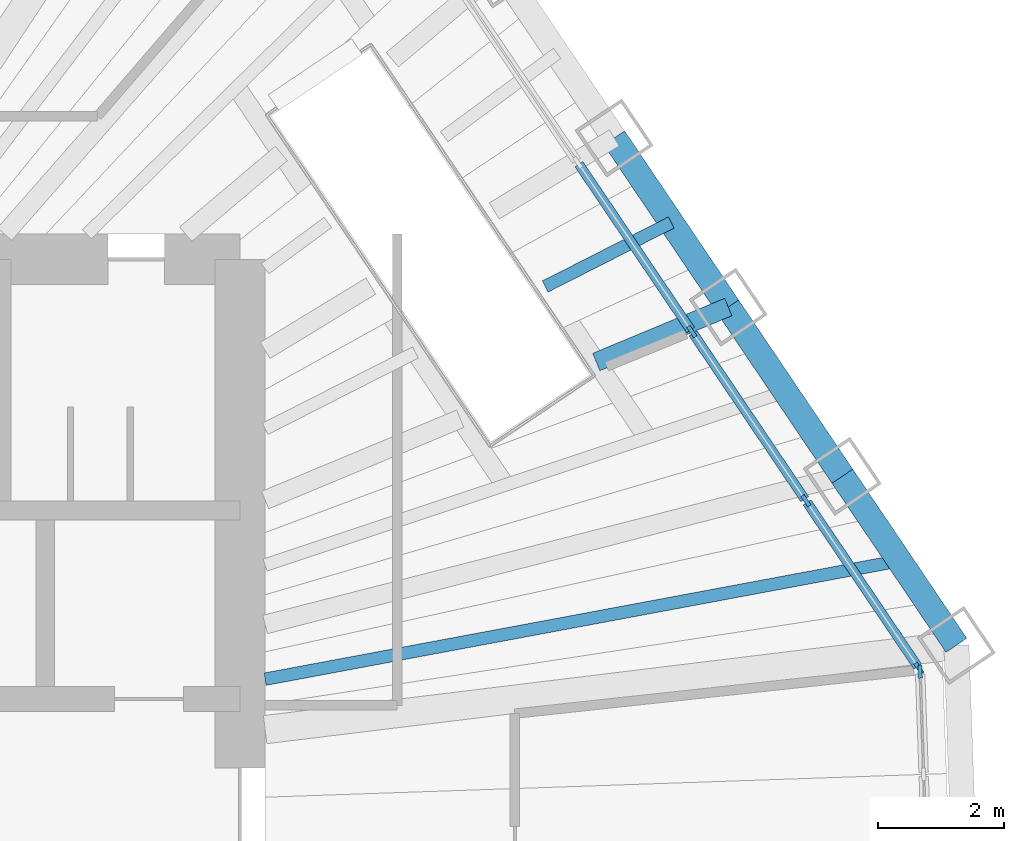
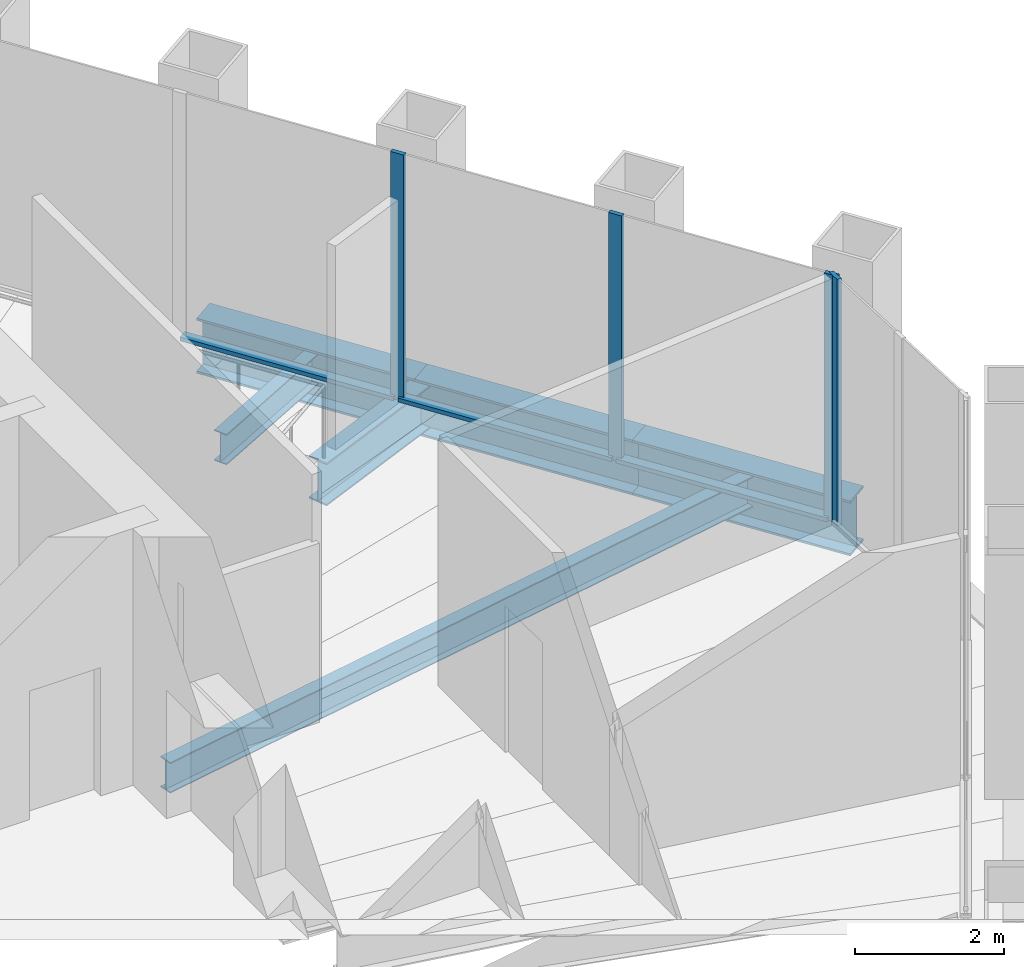
# One storey, part 8 of 17: 7 members, 6 beams, 2 elements without a shape of their own.
"""IFC4 building model written with IfcOpenShell, lengths in metres."""

from ifc_helpers import new_model, si_unit, direction, frame, origin, origin_2d, place, context, subcontext, project, spatial, rectangle, i_section, extrude, material, material_profile, profile_set, type_object, element, aggregate, save


model = new_model("IFC4")

# Units and contexts
model_context = context("Model", 3, precision=1e-05, world=origin(), true_north=direction((0.0, 1.0)))
body_context = subcontext(model_context, "Body", "Model", "MODEL_VIEW")
ifc_project = project(units=[si_unit("LENGTHUNIT", "METRE"), si_unit("AREAUNIT", "SQUARE_METRE"), si_unit("VOLUMEUNIT", "CUBIC_METRE"), si_unit("PLANEANGLEUNIT", "RADIAN"), si_unit("MASSUNIT", "GRAM", prefix="KILO")], contexts=[model_context])

# Site, building, storey
site_placement = place(None, origin())
site = spatial("IfcSite", under=ifc_project, at=site_placement, CompositionType="ELEMENT")
building_placement = place(site_placement, origin())
building = spatial("IfcBuilding", under=site, at=building_placement, Name="Qingtian Harvest Tower", CompositionType="ELEMENT")
storey_placement = place(building_placement, frame((0.0, 0.0, 329.199951171875)))
storey = spatial("IfcBuildingStorey", under=building, at=storey_placement, Name="L73", CompositionType="ELEMENT", Elevation=329.199951171875)

# Beams
ifc_material_1 = material(Name="Steel SN490B", Category="steel")
ifc_material_profile_1 = material_profile(ifc_material_1, i_section(OverallWidth=0.300048828125, OverallDepth=0.699951171875, WebThickness=0.012939453125, FlangeThickness=0.02392578125, at=origin_2d()), Name="H700x300x13x24")
ifc_profile_set_1 = profile_set([ifc_material_profile_1], Name="Steel SN490B")
beam_type_1 = type_object("IfcBeamType", Name="Floor beam FB4 H700x300x13x24", PredefinedType="BEAM", material=ifc_profile_set_1)
beam_1_placement = place(storey_placement, frame((19.77294921875, 8.2392578125, -0.52001953125), z_axis=(-0.923080095314, -0.384607771157, 0.0), x_axis=(0.384607771157, -0.923080095314, 0.0)))
element("IfcBeam", 1, at=beam_1_placement, inside=storey, type_object=beam_type_1, Name="Floor beam FB4 NE4", PredefinedType="BEAM", context=body_context, shape_type="SweptSolid", body=[
    extrude(i_section(OverallWidth=0.300048828125, OverallDepth=0.699951171875, WebThickness=0.012939453125, FlangeThickness=0.02392578125, at=origin_2d()), origin(), (0.0, 0.0, 1.0), 2.27685546875),
])
ifc_material_2 = material(Name="Steel SN490B", Category="steel")
ifc_material_profile_2 = material_profile(ifc_material_2, i_section(OverallWidth=0.199951171875, OverallDepth=0.5, WebThickness=0.010009765625, FlangeThickness=0.01611328125, at=origin_2d()), Name="H500x200x10x16")
ifc_profile_set_2 = profile_set([ifc_material_profile_2], Name="Steel SN490B")
beam_type_2 = type_object("IfcBeamType", Name="Floor joist J3 H500x200x10x16", PredefinedType="JOIST", material=ifc_profile_set_2)
beam_2_placement = place(storey_placement, frame((18.864990234375, 9.585693359375, -0.419921875), z_axis=(-0.891499556888, -0.453021566892, 0.0), x_axis=(0.453021566892, -0.891499556888, 0.0)))
element("IfcBeam", 2, at=beam_2_placement, inside=storey, type_object=beam_type_2, Name="Floor joist J3 NE3", PredefinedType="JOIST", context=body_context, shape_type="SweptSolid", body=[
    extrude(i_section(OverallWidth=0.199951171875, OverallDepth=0.5, WebThickness=0.010009765625, FlangeThickness=0.01611328125, at=origin_2d()), origin(), (0.0, 0.0, 1.0), 2.24951171875),
])
beam_3_placement = place(storey_placement, frame((22.49755859375, 4.2001953125, -0.419921875), z_axis=(-0.983018248018, -0.183507831067, 0.0), x_axis=(0.183507831067, -0.983018248018, 0.0)))
element("IfcBeam", 3, at=beam_3_placement, inside=storey, type_object=beam_type_2, Name="Floor joist J3 NE5", PredefinedType="JOIST", context=body_context, shape_type="SweptSolid", body=[
    extrude(i_section(OverallWidth=0.199951171875, OverallDepth=0.5, WebThickness=0.010009765625, FlangeThickness=0.01611328125, at=origin_2d()), origin(), (0.0, 0.0, 1.0), 10.27197265625),
])

# Curtain wall, members
ifc_material_3 = material(Name="Bronze-anodised aluminium curtain wall", Category="aluminium")
curtain_wall_type = type_object("IfcCurtainWallType", Name="Curtain wall CW6 executive floors", PredefinedType="USERDEFINED", material=ifc_material_3)
curtain_wall_1_placement = place(storey_placement, origin())
curtain_wall_1 = element("IfcCurtainWall", 4, at=curtain_wall_1_placement, inside=storey, type_object=curtain_wall_type, Name="Curtain wall CW6 L73 NE0-5", ObjectType="RECESSED CURTAIN WALL", PredefinedType="USERDEFINED")
ifc_material_4 = material(Name="Bronze-anodised aluminium mullion", Category="aluminium")
ifc_material_profile_3 = material_profile(ifc_material_4, rectangle(XDim=0.06494140625, YDim=0.199951171875, at=origin_2d()), Name="AL 65x200")
ifc_profile_set_3 = profile_set([ifc_material_profile_3], Name="Bronze-anodised aluminium mullion")
member_type_1 = type_object("IfcMemberType", Name="Mullion CWM 65x200", PredefinedType="MULLION", material=ifc_profile_set_3)
member_1_placement = place(storey_placement, frame((19.192626953125, 7.847900390625, 0.0), z_axis=(0.0, 0.0, 1.0), x_axis=(0.829037572555, 0.559192903471, 0.0)))
member_1 = element("IfcMember", 5, at=member_1_placement, type_object=member_type_1, Name="CW6 mullion 5", PredefinedType="MULLION", context=body_context, shape_type="SweptSolid", body=[
    extrude(rectangle(XDim=0.06494140625, YDim=0.199951171875, at=origin_2d()), origin(), (0.0, 0.0, 1.0), 4.030029296875),
])
member_2_placement = place(storey_placement, frame((21.009033203125, 5.1552734375, 0.0), z_axis=(0.0, 0.0, 1.0), x_axis=(0.829037572555, 0.559192903471, 0.0)))
member_2 = element("IfcMember", 6, at=member_2_placement, type_object=member_type_1, Name="CW6 mullion 6", PredefinedType="MULLION", context=body_context, shape_type="SweptSolid", body=[
    extrude(rectangle(XDim=0.06494140625, YDim=0.199951171875, at=origin_2d()), origin(), (0.0, 0.0, 1.0), 4.030029296875),
])
member_3_placement = place(storey_placement, frame((22.80712890625, 2.489501953125, 0.0), z_axis=(0.0, 0.0, 1.0), x_axis=(0.829037572555, 0.559192903471, 0.0)))
member_3 = element("IfcMember", 7, at=member_3_placement, type_object=member_type_1, Name="CW6 mullion 7", PredefinedType="MULLION", context=body_context, shape_type="SweptSolid", body=[
    extrude(rectangle(XDim=0.06494140625, YDim=0.199951171875, at=origin_2d()), origin(), (0.0, 0.0, 1.0), 4.030029296875),
])

# Curtain wall, member
curtain_wall_2_placement = place(storey_placement, origin())
curtain_wall_2 = element("IfcCurtainWall", 8, at=curtain_wall_2_placement, inside=storey, type_object=curtain_wall_type, Name="Curtain wall CW6 L73 NEC", ObjectType="RECESSED CURTAIN WALL", PredefinedType="USERDEFINED")
member_4_placement = place(storey_placement, frame((22.826416015625, 2.429931640625, 0.0), z_axis=(0.0, 0.0, 1.0), x_axis=(0.999390827019, 0.034899496703, 0.0)))
member_4 = element("IfcMember", 9, at=member_4_placement, type_object=member_type_1, Name="CW6 mullion 1", PredefinedType="MULLION", context=body_context, shape_type="SweptSolid", body=[
    extrude(rectangle(XDim=0.06494140625, YDim=0.199951171875, at=origin_2d()), origin(), (0.0, 0.0, 1.0), 4.030029296875),
])
aggregate(curtain_wall_2, [member_4])

# Beams
ifc_material_5 = material(Name="Steel SN490B", Category="steel")
ifc_material_profile_4 = material_profile(ifc_material_5, i_section(OverallWidth=0.39990234375, OverallDepth=0.89990234375, WebThickness=0.01904296875, FlangeThickness=0.035888671875, at=origin_2d()), Name="H900x400x19x36")
ifc_profile_set_4 = profile_set([ifc_material_profile_4], Name="Steel SN490B")
beam_type_3 = type_object("IfcBeamType", Name="Spandrel beam SB4 H900x400x19x36", PredefinedType="SPANDREL", material=ifc_profile_set_4)
for number, where, z_axis, x_axis, name in (
    (10, (17.956787109375, 10.93212890625, -0.449951171875), (0.55915007887, -0.829066456504, 0.0), (0.829066456504, 0.55915007887, 0.0), "Spandrel SB4 NE3"),
    (11, (19.77294921875, 8.2392578125, -0.449951171875), (0.5592365864, -0.829008106372, 0.0), (0.829008106372, 0.5592365864, 0.0), "Spandrel SB4 NE4"),
):
    element("IfcBeam", number, at=place(storey_placement, frame(where, z_axis=z_axis, x_axis=x_axis)), inside=storey, type_object=beam_type_3, Name=name, PredefinedType="SPANDREL", context=body_context, shape_type="SweptSolid", body=[
        extrude(i_section(OverallWidth=0.39990234375, OverallDepth=0.89990234375, WebThickness=0.01904296875, FlangeThickness=0.035888671875, at=origin_2d()), origin(), (0.0, 0.0, 1.0), 3.248046875),
    ])
beam_4_placement = place(storey_placement, frame((21.58935546875, 5.546630859375, -0.449951171875), z_axis=(0.559184924833, -0.829042954158, 0.0), x_axis=(0.829042954158, 0.559184924833, 0.0)))
element("IfcBeam", 12, at=beam_4_placement, inside=storey, type_object=beam_type_3, Name="Spandrel SB4 NE5", PredefinedType="SPANDREL", context=body_context, shape_type="SweptSolid", body=[
    extrude(i_section(OverallWidth=0.39990234375, OverallDepth=0.89990234375, WebThickness=0.01904296875, FlangeThickness=0.035888671875, at=origin_2d()), origin(), (0.0, 0.0, 1.0), 3.247802734375),
])

# Member
ifc_material_6 = material(Name="Bronze-anodised aluminium transom", Category="aluminium")
ifc_material_profile_5 = material_profile(ifc_material_6, rectangle(XDim=0.14990234375, YDim=0.06494140625, at=origin_2d()), Name="AL 65x150")
ifc_profile_set_5 = profile_set([ifc_material_profile_5], Name="Bronze-anodised aluminium transom")
member_type_2 = type_object("IfcMemberType", Name="Transom CWT 65x150", PredefinedType="USERDEFINED", material=ifc_profile_set_5)
member_5_placement = place(storey_placement, frame((17.39453125, 10.513671875, 0.032470703125), z_axis=(0.55920542009, -0.829029129852, 0.0), x_axis=(0.829029129852, 0.55920542009, 0.0)))
member_5 = element("IfcMember", 13, at=member_5_placement, type_object=member_type_2, Name="CW6 transom 4.1", ObjectType="TRANSOM", PredefinedType="USERDEFINED", context=body_context, shape_type="SweptSolid", body=[
    extrude(rectangle(XDim=0.14990234375, YDim=0.06494140625, at=origin_2d()), origin(), (0.0, 0.0, 1.0), 3.18310546875),
])

member_6_placement = place(storey_placement, frame((19.2109375, 7.821044921875, 0.032470703125), z_axis=(0.559152702955, -0.829064686727, 0.0), x_axis=(0.829064686727, 0.559152702955, 0.0)))
member_6 = element("IfcMember", 14, at=member_6_placement, type_object=member_type_2, Name="CW6 transom 5.1", ObjectType="TRANSOM", PredefinedType="USERDEFINED", context=body_context, shape_type="SweptSolid", body=[
    extrude(rectangle(XDim=0.14990234375, YDim=0.06494140625, at=origin_2d()), origin(), (0.0, 0.0, 1.0), 3.18310546875),
])

member_7_placement = place(storey_placement, frame((21.027099609375, 5.128173828125, 0.032470703125), z_axis=(0.559198649732, -0.829033696624, 0.0), x_axis=(0.829033696624, 0.559198649732, 0.0)))
member_7 = element("IfcMember", 15, at=member_7_placement, type_object=member_type_2, Name="CW6 transom 6.1", ObjectType="TRANSOM", PredefinedType="USERDEFINED", context=body_context, shape_type="SweptSolid", body=[
    extrude(rectangle(XDim=0.14990234375, YDim=0.06494140625, at=origin_2d()), origin(), (0.0, 0.0, 1.0), 3.150390625),
])

aggregate(curtain_wall_1, [member_1, member_2, member_3, member_5, member_6, member_7])

save(model, "model.ifc")
